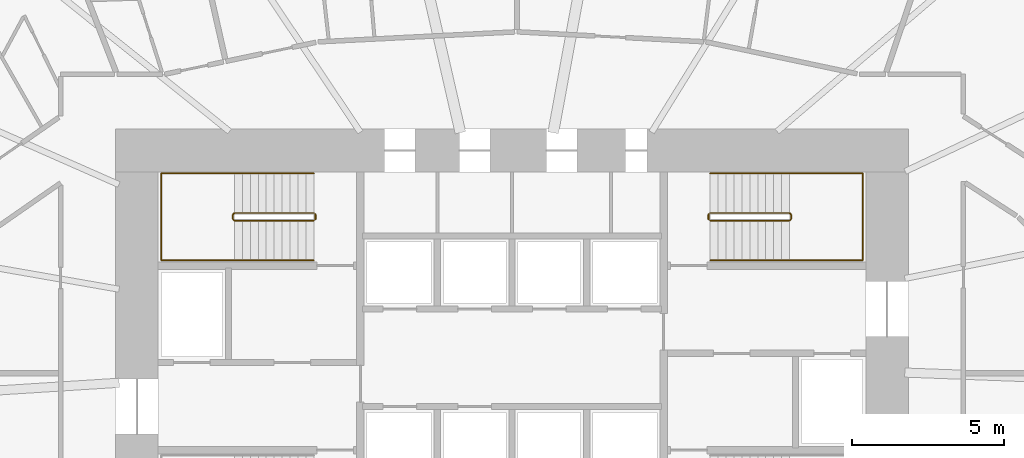
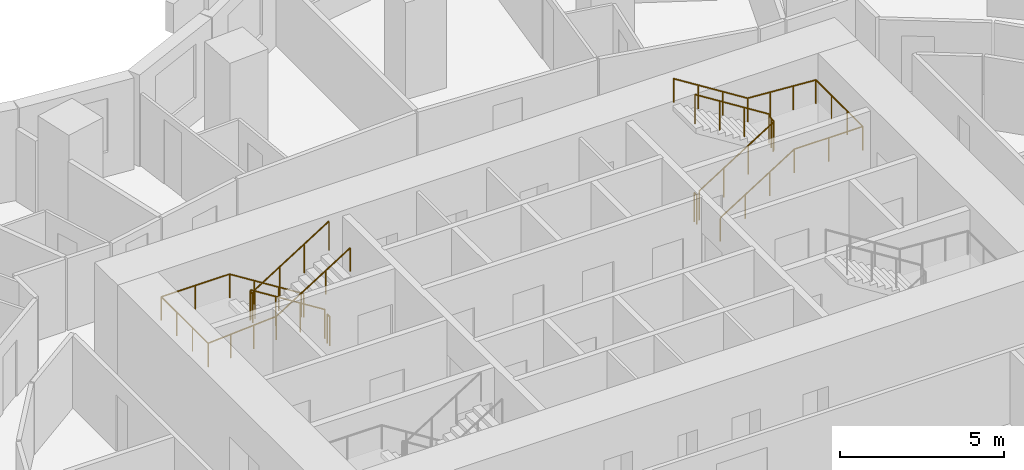
# One storey, part 14 of 14: 6 railings.
"""IFC4 building model written with IfcOpenShell, lengths in metres."""

from ifc_helpers import new_model, si_unit, direction, frame, origin, origin_2d, place, context, subcontext, project, spatial, circle, extrude, material, type_object, element, save


model = new_model("IFC4")

# Units and contexts
model_context = context("Model", 3, precision=1e-05, world=origin(), true_north=direction((0.0, 1.0)))
body_context = subcontext(model_context, "Body", "Model", "MODEL_VIEW")
ifc_project = project(units=[si_unit("LENGTHUNIT", "METRE"), si_unit("AREAUNIT", "SQUARE_METRE"), si_unit("VOLUMEUNIT", "CUBIC_METRE"), si_unit("PLANEANGLEUNIT", "RADIAN"), si_unit("MASSUNIT", "GRAM", prefix="KILO")], contexts=[model_context])

# Site, building, storey
site_placement = place(None, origin())
site = spatial("IfcSite", under=ifc_project, at=site_placement, CompositionType="ELEMENT")
building_placement = place(site_placement, origin())
building = spatial("IfcBuilding", under=site, at=building_placement, Name="Rubra Terraces Tower", CompositionType="ELEMENT")
storey_placement = place(building_placement, frame((0.0, 0.0, 44.699951171875)))
storey = spatial("IfcBuildingStorey", under=building, at=storey_placement, Name="L08", CompositionType="ELEMENT", Elevation=44.699951171875)

# Railings
ifc_material = material(Name="Stainless steel", Category="steel")
railing_type_1 = type_object("IfcRailingType", Name="Core stair guard 1100", PredefinedType="GUARDRAIL", material=ifc_material)
railing_1_placement = place(storey_placement, frame((-6.5, 9.25, 0.16357421875)))
element("IfcRailing", 1, at=railing_1_placement, inside=storey, type_object=railing_type_1, Name="L08 stair S2 guard 1", PredefinedType="GUARDRAIL", context=body_context, shape_type="SweptSolid", body=[
    extrude(circle(Radius=0.02392578125, at=origin_2d()), frame((0.0, 0.0, 1.076171875), z_axis=(-0.846324394277, 0.0, 0.532667832379), x_axis=(0.0, -1.0, 0.0)), (0.0, 0.0, 1.0), 3.072265625),
    extrude(circle(Radius=0.02392578125, at=origin_2d()), frame((-2.60009765625, 0.0, 2.71240234375), z_axis=(-0.705375805398, -0.708833529934, 0.0), x_axis=(0.708833529934, -0.705375805398, 0.0)), (0.0, 0.0, 1.0), 0.070556640625),
    extrude(circle(Radius=0.02392578125, at=origin_2d()), frame((-2.64990234375, -0.050048828125, 2.71240234375), z_axis=(0.0, -1.0, 0.0), x_axis=(1.0, 0.0, 0.0)), (0.0, 0.0, 1.0), 0.14990234375),
    extrude(circle(Radius=0.02392578125, at=origin_2d()), frame((-2.64990234375, -0.199951171875, 2.71240234375), z_axis=(0.279546231943, -0.280916556609, 0.91811752648), x_axis=(0.708833529934, 0.705375805398, 0.0)), (0.0, 0.0, 1.0), 0.17822265625),
    extrude(circle(Radius=0.02392578125, at=origin_2d()), frame((-2.60009765625, -0.25, 2.8759765625), z_axis=(0.846324394277, 0.0, 0.532667832379), x_axis=(0.0, 1.0, 0.0)), (0.0, 0.0, 1.0), 3.072265625),
    extrude(circle(Radius=0.02099609375, at=origin_2d()), origin(), (0.0, 0.0, 1.0), 1.052001953125),
    extrude(circle(Radius=0.02099609375, at=origin_2d()), frame((-0.86669921875, 0.0, 0.54541015625)), (0.0, 0.0, 1.0), 1.052001953125),
    extrude(circle(Radius=0.02099609375, at=origin_2d()), frame((-1.7333984375, 0.0, 1.091064453125)), (0.0, 0.0, 1.0), 1.052001953125),
    extrude(circle(Radius=0.02099609375, at=origin_2d()), frame((-2.60009765625, 0.0, 1.636474609375)), (0.0, 0.0, 1.0), 1.052001953125),
    extrude(circle(Radius=0.02099609375, at=origin_2d()), frame((-2.64990234375, -0.050048828125, 1.636474609375)), (0.0, 0.0, 1.0), 1.052001953125),
    extrude(circle(Radius=0.02099609375, at=origin_2d()), frame((-2.64990234375, -0.199951171875, 1.636474609375)), (0.0, 0.0, 1.0), 1.052001953125),
    extrude(circle(Radius=0.02099609375, at=origin_2d()), frame((-2.60009765625, -0.25, 1.800048828125)), (0.0, 0.0, 1.0), 1.052001953125),
    extrude(circle(Radius=0.02099609375, at=origin_2d()), frame((-1.7333984375, -0.25, 2.345458984375)), (0.0, 0.0, 1.0), 1.052001953125),
    extrude(circle(Radius=0.02099609375, at=origin_2d()), frame((-0.86669921875, -0.25, 2.89111328125)), (0.0, 0.0, 1.0), 1.052001953125),
    extrude(circle(Radius=0.02099609375, at=origin_2d()), frame((0.0, -0.25, 3.4365234375)), (0.0, 0.0, 1.0), 1.052001953125),
])
railing_2_placement = place(storey_placement, frame((-6.449951171875, 9.199951171875, 0.0)))
element("IfcRailing", 2, at=railing_2_placement, inside=storey, type_object=railing_type_1, Name="L08 stair S2 guard 2", PredefinedType="GUARDRAIL", context=body_context, shape_type="SweptSolid", body=[
    extrude(circle(Radius=0.02392578125, at=origin_2d()), frame((0.0, 0.0, 1.076171875), z_axis=(0.0, -1.0, 0.0), x_axis=(1.0, 0.0, 0.0)), (0.0, 0.0, 1.0), 0.14990234375),
    extrude(circle(Radius=0.02099609375, at=origin_2d()), origin(), (0.0, 0.0, 1.0), 1.052001953125),
    extrude(circle(Radius=0.02099609375, at=origin_2d()), frame((0.0, -0.14990234375, 0.0)), (0.0, 0.0, 1.0), 1.052001953125),
])
railing_3_placement = place(storey_placement, frame((6.5, 9.0, 0.16357421875)))
element("IfcRailing", 3, at=railing_3_placement, inside=storey, type_object=railing_type_1, Name="L08 stair S3 guard 1", PredefinedType="GUARDRAIL", context=body_context, shape_type="SweptSolid", body=[
    extrude(circle(Radius=0.02392578125, at=origin_2d()), frame((0.0, 0.0, 1.076171875), z_axis=(0.846324394277, 0.0, 0.532667832379), x_axis=(0.0, 1.0, 0.0)), (0.0, 0.0, 1.0), 3.072265625),
    extrude(circle(Radius=0.02392578125, at=origin_2d()), frame((2.60009765625, 0.0, 2.71240234375), z_axis=(0.705375805398, 0.708833529934, 0.0), x_axis=(-0.708833529934, 0.705375805398, 0.0)), (0.0, 0.0, 1.0), 0.070556640625),
    extrude(circle(Radius=0.02392578125, at=origin_2d()), frame((2.64990234375, 0.050048828125, 2.71240234375), z_axis=(0.0, 1.0, 0.0), x_axis=(-1.0, 0.0, 0.0)), (0.0, 0.0, 1.0), 0.14990234375),
    extrude(circle(Radius=0.02392578125, at=origin_2d()), frame((2.64990234375, 0.199951171875, 2.71240234375), z_axis=(-0.279546231943, 0.280916556609, 0.91811752648), x_axis=(-0.708833529934, -0.705375805398, 0.0)), (0.0, 0.0, 1.0), 0.17822265625),
    extrude(circle(Radius=0.02392578125, at=origin_2d()), frame((2.60009765625, 0.25, 2.8759765625), z_axis=(-0.846324394277, 0.0, 0.532667832379), x_axis=(0.0, -1.0, 0.0)), (0.0, 0.0, 1.0), 3.072265625),
    extrude(circle(Radius=0.02099609375, at=origin_2d()), origin(), (0.0, 0.0, 1.0), 1.052001953125),
    extrude(circle(Radius=0.02099609375, at=origin_2d()), frame((0.86669921875, 0.0, 0.54541015625)), (0.0, 0.0, 1.0), 1.052001953125),
    extrude(circle(Radius=0.02099609375, at=origin_2d()), frame((1.7333984375, 0.0, 1.091064453125)), (0.0, 0.0, 1.0), 1.052001953125),
    extrude(circle(Radius=0.02099609375, at=origin_2d()), frame((2.60009765625, 0.0, 1.636474609375)), (0.0, 0.0, 1.0), 1.052001953125),
    extrude(circle(Radius=0.02099609375, at=origin_2d()), frame((2.64990234375, 0.050048828125, 1.636474609375)), (0.0, 0.0, 1.0), 1.052001953125),
    extrude(circle(Radius=0.02099609375, at=origin_2d()), frame((2.64990234375, 0.199951171875, 1.636474609375)), (0.0, 0.0, 1.0), 1.052001953125),
    extrude(circle(Radius=0.02099609375, at=origin_2d()), frame((2.60009765625, 0.25, 1.800048828125)), (0.0, 0.0, 1.0), 1.052001953125),
    extrude(circle(Radius=0.02099609375, at=origin_2d()), frame((1.7333984375, 0.25, 2.345458984375)), (0.0, 0.0, 1.0), 1.052001953125),
    extrude(circle(Radius=0.02099609375, at=origin_2d()), frame((0.86669921875, 0.25, 2.89111328125)), (0.0, 0.0, 1.0), 1.052001953125),
    extrude(circle(Radius=0.02099609375, at=origin_2d()), frame((0.0, 0.25, 3.4365234375)), (0.0, 0.0, 1.0), 1.052001953125),
])
railing_4_placement = place(storey_placement, frame((6.449951171875, 9.050048828125, 0.0)))
element("IfcRailing", 4, at=railing_4_placement, inside=storey, type_object=railing_type_1, Name="L08 stair S3 guard 2", PredefinedType="GUARDRAIL", context=body_context, shape_type="SweptSolid", body=[
    extrude(circle(Radius=0.02392578125, at=origin_2d()), frame((0.0, 0.0, 1.076171875), z_axis=(0.0, 1.0, 0.0), x_axis=(-1.0, 0.0, 0.0)), (0.0, 0.0, 1.0), 0.14990234375),
    extrude(circle(Radius=0.02099609375, at=origin_2d()), origin(), (0.0, 0.0, 1.0), 1.052001953125),
    extrude(circle(Radius=0.02099609375, at=origin_2d()), frame((0.0, 0.14990234375, 0.0)), (0.0, 0.0, 1.0), 1.052001953125),
])
railing_type_2 = type_object("IfcRailingType", Name="Core stair handrail 900", PredefinedType="HANDRAIL", material=ifc_material)
railing_5_placement = place(storey_placement, frame((-6.5, 10.550048828125, 0.16357421875)))
element("IfcRailing", 5, at=railing_5_placement, inside=storey, type_object=railing_type_2, Name="L08 stair S2 handrail 1", PredefinedType="HANDRAIL", context=body_context, shape_type="SweptSolid", body=[
    extrude(circle(Radius=0.02392578125, at=origin_2d()), frame((0.0, 0.0, 0.8759765625), z_axis=(-0.846324394277, 0.0, 0.532667832379), x_axis=(0.0, -1.0, 0.0)), (0.0, 0.0, 1.0), 3.072265625),
    extrude(circle(Radius=0.02392578125, at=origin_2d()), frame((-2.60009765625, 0.0, 2.51220703125), z_axis=(-1.0, 0.0, 0.0), x_axis=(0.0, -1.0, 0.0)), (0.0, 0.0, 1.0), 2.39990234375),
    extrude(circle(Radius=0.02392578125, at=origin_2d()), frame((-5.0, 0.0, 2.51220703125), z_axis=(0.0, -1.0, 0.0), x_axis=(1.0, 0.0, 0.0)), (0.0, 0.0, 1.0), 2.85009765625),
    extrude(circle(Radius=0.02392578125, at=origin_2d()), frame((-5.0, -2.85009765625, 2.51220703125), z_axis=(0.997685257876, 0.0, 0.068000928055), x_axis=(0.0, 1.0, 0.0)), (0.0, 0.0, 1.0), 2.405517578125),
    extrude(circle(Radius=0.02392578125, at=origin_2d()), frame((-2.60009765625, -2.85009765625, 2.67578125), z_axis=(0.846324394277, 0.0, 0.532667832379), x_axis=(0.0, 1.0, 0.0)), (0.0, 0.0, 1.0), 3.072265625),
    extrude(circle(Radius=0.02099609375, at=origin_2d()), origin(), (0.0, 0.0, 1.0), 0.851806640625),
    extrude(circle(Radius=0.02099609375, at=origin_2d()), frame((-0.86669921875, 0.0, 0.54541015625)), (0.0, 0.0, 1.0), 0.851806640625),
    extrude(circle(Radius=0.02099609375, at=origin_2d()), frame((-1.7333984375, 0.0, 1.091064453125)), (0.0, 0.0, 1.0), 0.851806640625),
    extrude(circle(Radius=0.02099609375, at=origin_2d()), frame((-2.60009765625, 0.0, 1.636474609375)), (0.0, 0.0, 1.0), 0.851806640625),
    extrude(circle(Radius=0.02099609375, at=origin_2d()), frame((-3.800048828125, 0.0, 1.636474609375)), (0.0, 0.0, 1.0), 0.851806640625),
    extrude(circle(Radius=0.02099609375, at=origin_2d()), frame((-5.0, 0.0, 1.636474609375)), (0.0, 0.0, 1.0), 0.851806640625),
    extrude(circle(Radius=0.02099609375, at=origin_2d()), frame((-5.0, -0.949951171875, 1.636474609375)), (0.0, 0.0, 1.0), 0.851806640625),
    extrude(circle(Radius=0.02099609375, at=origin_2d()), frame((-5.0, -1.900146484375, 1.636474609375)), (0.0, 0.0, 1.0), 0.851806640625),
    extrude(circle(Radius=0.02099609375, at=origin_2d()), frame((-5.0, -2.85009765625, 1.636474609375)), (0.0, 0.0, 1.0), 0.851806640625),
    extrude(circle(Radius=0.02099609375, at=origin_2d()), frame((-4.199951171875, -2.85009765625, 1.69091796875)), (0.0, 0.0, 1.0), 0.851806640625),
    extrude(circle(Radius=0.02099609375, at=origin_2d()), frame((-3.400146484375, -2.85009765625, 1.74560546875)), (0.0, 0.0, 1.0), 0.851806640625),
    extrude(circle(Radius=0.02099609375, at=origin_2d()), frame((-2.60009765625, -2.85009765625, 1.800048828125)), (0.0, 0.0, 1.0), 0.851806640625),
    extrude(circle(Radius=0.02099609375, at=origin_2d()), frame((-1.7333984375, -2.85009765625, 2.345458984375)), (0.0, 0.0, 1.0), 0.851806640625),
    extrude(circle(Radius=0.02099609375, at=origin_2d()), frame((-0.86669921875, -2.85009765625, 2.89111328125)), (0.0, 0.0, 1.0), 0.851806640625),
    extrude(circle(Radius=0.02099609375, at=origin_2d()), frame((0.0, -2.85009765625, 3.4365234375)), (0.0, 0.0, 1.0), 0.851806640625),
])
railing_6_placement = place(storey_placement, frame((6.5, 7.699951171875, 0.16357421875)))
element("IfcRailing", 6, at=railing_6_placement, inside=storey, type_object=railing_type_2, Name="L08 stair S3 handrail 1", PredefinedType="HANDRAIL", context=body_context, shape_type="SweptSolid", body=[
    extrude(circle(Radius=0.02392578125, at=origin_2d()), frame((0.0, 0.0, 0.8759765625), z_axis=(0.846324394277, 0.0, 0.532667832379), x_axis=(0.0, 1.0, 0.0)), (0.0, 0.0, 1.0), 3.072265625),
    extrude(circle(Radius=0.02392578125, at=origin_2d()), frame((2.60009765625, 0.0, 2.51220703125), z_axis=(1.0, 0.0, 0.0), x_axis=(0.0, 1.0, 0.0)), (0.0, 0.0, 1.0), 2.39990234375),
    extrude(circle(Radius=0.02392578125, at=origin_2d()), frame((5.0, 0.0, 2.51220703125), z_axis=(0.0, 1.0, 0.0), x_axis=(-1.0, 0.0, 0.0)), (0.0, 0.0, 1.0), 2.85009765625),
    extrude(circle(Radius=0.02392578125, at=origin_2d()), frame((5.0, 2.85009765625, 2.51220703125), z_axis=(-0.997685257876, 0.0, 0.068000928055), x_axis=(0.0, -1.0, 0.0)), (0.0, 0.0, 1.0), 2.405517578125),
    extrude(circle(Radius=0.02392578125, at=origin_2d()), frame((2.60009765625, 2.85009765625, 2.67578125), z_axis=(-0.846324394277, 0.0, 0.532667832379), x_axis=(0.0, -1.0, 0.0)), (0.0, 0.0, 1.0), 3.072265625),
    extrude(circle(Radius=0.02099609375, at=origin_2d()), origin(), (0.0, 0.0, 1.0), 0.851806640625),
    extrude(circle(Radius=0.02099609375, at=origin_2d()), frame((0.86669921875, 0.0, 0.54541015625)), (0.0, 0.0, 1.0), 0.851806640625),
    extrude(circle(Radius=0.02099609375, at=origin_2d()), frame((1.7333984375, 0.0, 1.091064453125)), (0.0, 0.0, 1.0), 0.851806640625),
    extrude(circle(Radius=0.02099609375, at=origin_2d()), frame((2.60009765625, 0.0, 1.636474609375)), (0.0, 0.0, 1.0), 0.851806640625),
    extrude(circle(Radius=0.02099609375, at=origin_2d()), frame((3.800048828125, 0.0, 1.636474609375)), (0.0, 0.0, 1.0), 0.851806640625),
    extrude(circle(Radius=0.02099609375, at=origin_2d()), frame((5.0, 0.0, 1.636474609375)), (0.0, 0.0, 1.0), 0.851806640625),
    extrude(circle(Radius=0.02099609375, at=origin_2d()), frame((5.0, 0.949951171875, 1.636474609375)), (0.0, 0.0, 1.0), 0.851806640625),
    extrude(circle(Radius=0.02099609375, at=origin_2d()), frame((5.0, 1.900146484375, 1.636474609375)), (0.0, 0.0, 1.0), 0.851806640625),
    extrude(circle(Radius=0.02099609375, at=origin_2d()), frame((5.0, 2.85009765625, 1.636474609375)), (0.0, 0.0, 1.0), 0.851806640625),
    extrude(circle(Radius=0.02099609375, at=origin_2d()), frame((4.199951171875, 2.85009765625, 1.69091796875)), (0.0, 0.0, 1.0), 0.851806640625),
    extrude(circle(Radius=0.02099609375, at=origin_2d()), frame((3.400146484375, 2.85009765625, 1.74560546875)), (0.0, 0.0, 1.0), 0.851806640625),
    extrude(circle(Radius=0.02099609375, at=origin_2d()), frame((2.60009765625, 2.85009765625, 1.800048828125)), (0.0, 0.0, 1.0), 0.851806640625),
    extrude(circle(Radius=0.02099609375, at=origin_2d()), frame((1.7333984375, 2.85009765625, 2.345458984375)), (0.0, 0.0, 1.0), 0.851806640625),
    extrude(circle(Radius=0.02099609375, at=origin_2d()), frame((0.86669921875, 2.85009765625, 2.89111328125)), (0.0, 0.0, 1.0), 0.851806640625),
    extrude(circle(Radius=0.02099609375, at=origin_2d()), frame((0.0, 2.85009765625, 3.4365234375)), (0.0, 0.0, 1.0), 0.851806640625),
])

save(model, "model.ifc")
